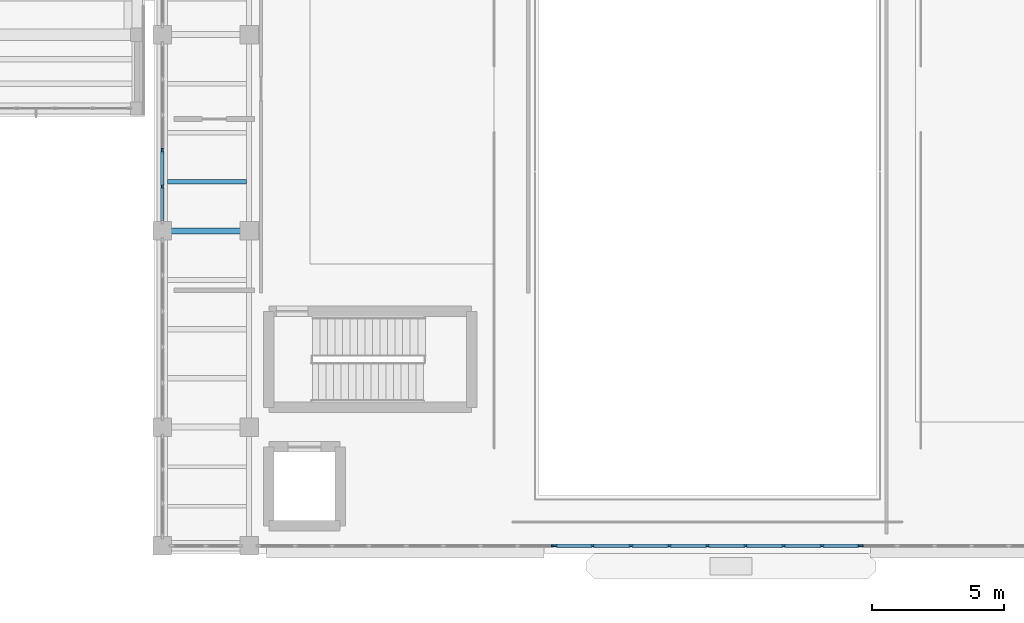
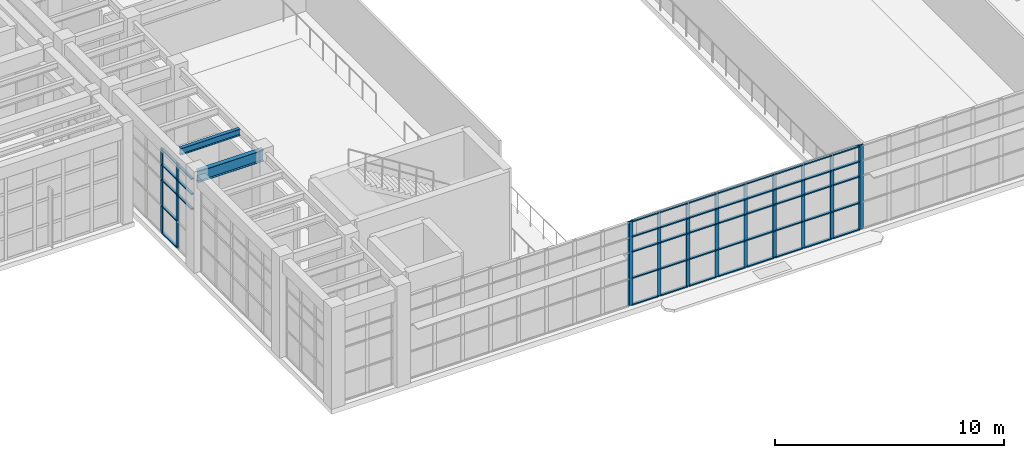
# One storey, part 35 of 103: 61 members, 2 beams, 4 elements without a shape of their own.
"""IFC4 building model written with IfcOpenShell, lengths in metres."""

from ifc_helpers import new_model, si_unit, direction, frame, origin, origin_2d, place, context, subcontext, project, spatial, rectangle, i_section, extrude, material, layer, layer_set, material_profile, profile_set, type_object, element, aggregate, save


model = new_model("IFC4")

# Units and contexts
model_context = context("Model", 3, precision=1e-05, world=origin(), true_north=direction((0.0, 1.0)))
body_context = subcontext(model_context, "Body", "Model", "MODEL_VIEW")
ifc_project = project(units=[si_unit("LENGTHUNIT", "METRE"), si_unit("AREAUNIT", "SQUARE_METRE"), si_unit("VOLUMEUNIT", "CUBIC_METRE"), si_unit("PLANEANGLEUNIT", "RADIAN"), si_unit("MASSUNIT", "GRAM", prefix="KILO")], contexts=[model_context])

# Site, building, storey
site_placement = place(None, origin())
site = spatial("IfcSite", under=ifc_project, at=site_placement, CompositionType="ELEMENT")
building_placement = place(site_placement, origin())
building = spatial("IfcBuilding", under=site, at=building_placement, Name="Candilejo Ridge Gondola Terminal", CompositionType="ELEMENT")
storey_placement = place(building_placement, frame((0.0, 0.0, 9.0)))
storey = spatial("IfcBuildingStorey", under=building, at=storey_placement, Name="L02", CompositionType="ELEMENT", Elevation=9.0)

# Curtain wall, members
ifc_material_1 = material(Name="Anodised aluminium AA 6063-T6", Category="aluminium")
ifc_layer_1 = layer(ifc_material_1, 0.169921875)
ifc_layer_set_1 = layer_set([ifc_layer_1], Name="ARC-CW-HALL-3800-680X449")
curtain_wall_type_1 = type_object("IfcCurtainWallType", Name="ARC-CW-HALL-3800-680X449", PredefinedType="NOTDEFINED", material=ifc_layer_set_1)
curtain_wall_1_placement = place(storey_placement, origin())
curtain_wall_1 = element("IfcCurtainWall", 1, at=curtain_wall_1_placement, inside=storey, type_object=curtain_wall_type_1, Name="Curtain wall V4 L02-135", PredefinedType="NOTDEFINED")
ifc_material_2 = material(Name="Anodised aluminium AA 6063-T6", Category="aluminium")
ifc_material_profile_1 = material_profile(ifc_material_2, rectangle(XDim=0.06494140625, YDim=0.179931640625, at=origin_2d()))
ifc_profile_set_1 = profile_set([ifc_material_profile_1], Name="Anodised aluminium AA 6063-T6")
member_type_1 = type_object("IfcMemberType", Name="ARC-CW-MULLION-180", PredefinedType="MULLION", material=ifc_profile_set_1)
member_1_placement = place(storey_placement, frame((133.89990234375, 19.93505859375, 0.0), z_axis=(0.0, 0.0, 1.0), x_axis=(-1.0, 0.0, 0.0)))
member_1 = element("IfcMember", 2, at=member_1_placement, type_object=member_type_1, Name="CW-68X44 mullion 2", PredefinedType="MULLION", context=body_context, shape_type="SweptSolid", body=[
    extrude(rectangle(XDim=0.06494140625, YDim=0.179931640625, at=origin_2d()), origin(), (0.0, 0.0, 1.0), 4.489990234375),
])
member_2_placement = place(storey_placement, frame((133.89990234375, 21.294921875, 0.0), z_axis=(0.0, 0.0, 1.0), x_axis=(-1.0, 0.0, 0.0)))
member_2 = element("IfcMember", 3, at=member_2_placement, type_object=member_type_1, Name="CW-68X44 mullion 3", PredefinedType="MULLION", context=body_context, shape_type="SweptSolid", body=[
    extrude(rectangle(XDim=0.06494140625, YDim=0.179931640625, at=origin_2d()), origin(), (0.0, 0.0, 1.0), 4.489990234375),
])

# Curtain wall, member
ifc_material_3 = material(Name="Anodised aluminium AA 6063-T6", Category="aluminium")
ifc_layer_2 = layer(ifc_material_3, 0.169921875)
ifc_layer_set_2 = layer_set([ifc_layer_2], Name="ARC-CW-HALL-3800-1128X449")
curtain_wall_type_2 = type_object("IfcCurtainWallType", Name="ARC-CW-HALL-3800-1128X449", PredefinedType="NOTDEFINED", material=ifc_layer_set_2)
curtain_wall_2_placement = place(storey_placement, origin())
curtain_wall_2 = element("IfcCurtainWall", 4, at=curtain_wall_2_placement, inside=storey, type_object=curtain_wall_type_2, Name="Curtain wall V4 L02-146", PredefinedType="NOTDEFINED")
member_3_placement = place(storey_placement, frame((148.767578125, 6.300048828125, 0.0), z_axis=(0.0, 0.0, 1.0), x_axis=(0.0, 1.0, 0.0)))
member_3 = element("IfcMember", 5, at=member_3_placement, type_object=member_type_1, Name="CW-112X44 mullion 9", PredefinedType="MULLION", context=body_context, shape_type="SweptSolid", body=[
    extrude(rectangle(XDim=0.06494140625, YDim=0.179931640625, at=origin_2d()), origin(), (0.0, 0.0, 1.0), 4.489990234375),
])
aggregate(curtain_wall_2, [member_3])

# Curtain wall, members
ifc_material_4 = material(Name="Anodised aluminium AA 6063-T6", Category="aluminium")
ifc_layer_3 = layer(ifc_material_4, 0.169921875)
ifc_layer_set_3 = layer_set([ifc_layer_3], Name="ARC-CW-HALL-3800-1160X449")
curtain_wall_type_3 = type_object("IfcCurtainWallType", Name="ARC-CW-HALL-3800-1160X449", PredefinedType="NOTDEFINED", material=ifc_layer_set_3)
curtain_wall_3_placement = place(storey_placement, origin())
curtain_wall_3 = element("IfcCurtainWall", 6, at=curtain_wall_3_placement, inside=storey, type_object=curtain_wall_type_3, Name="Curtain wall V4 L02-147", PredefinedType="NOTDEFINED")
member_4_placement = place(storey_placement, frame((148.83251953125, 6.300048828125, 0.0), z_axis=(0.0, 0.0, 1.0), x_axis=(0.0, 1.0, 0.0)))
member_4 = element("IfcMember", 7, at=member_4_placement, type_object=member_type_1, Name="CW-116X44 mullion 1", PredefinedType="MULLION", context=body_context, shape_type="SweptSolid", body=[
    extrude(rectangle(XDim=0.06494140625, YDim=0.179931640625, at=origin_2d()), origin(), (0.0, 0.0, 1.0), 4.489990234375),
])
member_5_placement = place(storey_placement, frame((150.25, 6.300048828125, 0.0), z_axis=(0.0, 0.0, 1.0), x_axis=(0.0, 1.0, 0.0)))
member_5 = element("IfcMember", 8, at=member_5_placement, type_object=member_type_1, Name="CW-116X44 mullion 2", PredefinedType="MULLION", context=body_context, shape_type="SweptSolid", body=[
    extrude(rectangle(XDim=0.06494140625, YDim=0.179931640625, at=origin_2d()), origin(), (0.0, 0.0, 1.0), 4.489990234375),
])
member_6_placement = place(storey_placement, frame((151.699951171875, 6.300048828125, 0.0), z_axis=(0.0, 0.0, 1.0), x_axis=(0.0, 1.0, 0.0)))
member_6 = element("IfcMember", 9, at=member_6_placement, type_object=member_type_1, Name="CW-116X44 mullion 3", PredefinedType="MULLION", context=body_context, shape_type="SweptSolid", body=[
    extrude(rectangle(XDim=0.06494140625, YDim=0.179931640625, at=origin_2d()), origin(), (0.0, 0.0, 1.0), 4.489990234375),
])
member_7_placement = place(storey_placement, frame((153.14990234375, 6.300048828125, 0.0), z_axis=(0.0, 0.0, 1.0), x_axis=(0.0, 1.0, 0.0)))
member_7 = element("IfcMember", 10, at=member_7_placement, type_object=member_type_1, Name="CW-116X44 mullion 4", PredefinedType="MULLION", context=body_context, shape_type="SweptSolid", body=[
    extrude(rectangle(XDim=0.06494140625, YDim=0.179931640625, at=origin_2d()), origin(), (0.0, 0.0, 1.0), 4.489990234375),
])
member_8_placement = place(storey_placement, frame((154.60009765625, 6.300048828125, 0.0), z_axis=(0.0, 0.0, 1.0), x_axis=(0.0, 1.0, 0.0)))
member_8 = element("IfcMember", 11, at=member_8_placement, type_object=member_type_1, Name="CW-116X44 mullion 5", PredefinedType="MULLION", context=body_context, shape_type="SweptSolid", body=[
    extrude(rectangle(XDim=0.06494140625, YDim=0.179931640625, at=origin_2d()), origin(), (0.0, 0.0, 1.0), 4.489990234375),
])
member_9_placement = place(storey_placement, frame((156.050048828125, 6.300048828125, 0.0), z_axis=(0.0, 0.0, 1.0), x_axis=(0.0, 1.0, 0.0)))
member_9 = element("IfcMember", 12, at=member_9_placement, type_object=member_type_1, Name="CW-116X44 mullion 6", PredefinedType="MULLION", context=body_context, shape_type="SweptSolid", body=[
    extrude(rectangle(XDim=0.06494140625, YDim=0.179931640625, at=origin_2d()), origin(), (0.0, 0.0, 1.0), 4.489990234375),
])
member_10_placement = place(storey_placement, frame((157.5, 6.300048828125, 0.0), z_axis=(0.0, 0.0, 1.0), x_axis=(0.0, 1.0, 0.0)))
member_10 = element("IfcMember", 13, at=member_10_placement, type_object=member_type_1, Name="CW-116X44 mullion 7", PredefinedType="MULLION", context=body_context, shape_type="SweptSolid", body=[
    extrude(rectangle(XDim=0.06494140625, YDim=0.179931640625, at=origin_2d()), origin(), (0.0, 0.0, 1.0), 4.489990234375),
])
member_11_placement = place(storey_placement, frame((158.949951171875, 6.300048828125, 0.0), z_axis=(0.0, 0.0, 1.0), x_axis=(0.0, 1.0, 0.0)))
member_11 = element("IfcMember", 14, at=member_11_placement, type_object=member_type_1, Name="CW-116X44 mullion 8", PredefinedType="MULLION", context=body_context, shape_type="SweptSolid", body=[
    extrude(rectangle(XDim=0.06494140625, YDim=0.179931640625, at=origin_2d()), origin(), (0.0, 0.0, 1.0), 4.489990234375),
])
member_12_placement = place(storey_placement, frame((160.367431640625, 6.300048828125, 0.0), z_axis=(0.0, 0.0, 1.0), x_axis=(0.0, 1.0, 0.0)))
member_12 = element("IfcMember", 15, at=member_12_placement, type_object=member_type_1, Name="CW-116X44 mullion 9", PredefinedType="MULLION", context=body_context, shape_type="SweptSolid", body=[
    extrude(rectangle(XDim=0.06494140625, YDim=0.179931640625, at=origin_2d()), origin(), (0.0, 0.0, 1.0), 4.489990234375),
])

# Curtain wall, member
curtain_wall_4_placement = place(storey_placement, origin())
curtain_wall_4 = element("IfcCurtainWall", 16, at=curtain_wall_4_placement, inside=storey, type_object=curtain_wall_type_2, Name="Curtain wall V4 L02-148", PredefinedType="NOTDEFINED")
member_13_placement = place(storey_placement, frame((160.4326171875, 6.300048828125, 0.0), z_axis=(0.0, 0.0, 1.0), x_axis=(0.0, 1.0, 0.0)))
member_13 = element("IfcMember", 17, at=member_13_placement, type_object=member_type_1, Name="CW-112X44 mullion 1", PredefinedType="MULLION", context=body_context, shape_type="SweptSolid", body=[
    extrude(rectangle(XDim=0.06494140625, YDim=0.179931640625, at=origin_2d()), origin(), (0.0, 0.0, 1.0), 4.489990234375),
])
aggregate(curtain_wall_4, [member_13])

# Member
ifc_material_5 = material(Name="Anodised aluminium AA 6063-T6", Category="aluminium")
ifc_material_profile_2 = material_profile(ifc_material_5, rectangle(XDim=0.1298828125, YDim=0.06005859375, at=origin_2d()))
ifc_profile_set_2 = profile_set([ifc_material_profile_2], Name="Anodised aluminium AA 6063-T6")
member_type_2 = type_object("IfcMemberType", Name="ARC-CW-TRANSOM-130", PredefinedType="USERDEFINED", material=ifc_profile_set_2)
member_14_placement = place(storey_placement, frame((133.89990234375, 18.639892578125, 2.85009765625), z_axis=(0.0, 1.0, 0.0), x_axis=(-1.0, 0.0, 0.0)))
member_14 = element("IfcMember", 18, at=member_14_placement, type_object=member_type_2, Name="CW-68X44 transom 1.3", ObjectType="TRANSOM", PredefinedType="USERDEFINED", context=body_context, shape_type="SweptSolid", body=[
    extrude(rectangle(XDim=0.1298828125, YDim=0.06005859375, at=origin_2d()), origin(), (0.0, 0.0, 1.0), 1.2626953125),
])

member_15_placement = place(storey_placement, frame((133.89990234375, 18.639892578125, 3.64990234375), z_axis=(0.0, 1.0, 0.0), x_axis=(-1.0, 0.0, 0.0)))
member_15 = element("IfcMember", 19, at=member_15_placement, type_object=member_type_2, Name="CW-68X44 transom 1.4", ObjectType="TRANSOM", PredefinedType="USERDEFINED", context=body_context, shape_type="SweptSolid", body=[
    extrude(rectangle(XDim=0.1298828125, YDim=0.06005859375, at=origin_2d()), origin(), (0.0, 0.0, 1.0), 1.2626953125),
])

member_16_placement = place(storey_placement, frame((133.89990234375, 18.639892578125, 4.4599609375), z_axis=(0.0, 1.0, 0.0), x_axis=(-1.0, 0.0, 0.0)))
member_16 = element("IfcMember", 20, at=member_16_placement, type_object=member_type_2, Name="CW-68X44 transom 1.5", ObjectType="TRANSOM", PredefinedType="USERDEFINED", context=body_context, shape_type="SweptSolid", body=[
    extrude(rectangle(XDim=0.1298828125, YDim=0.06005859375, at=origin_2d()), origin(), (0.0, 0.0, 1.0), 1.2626953125),
])

member_17_placement = place(storey_placement, frame((133.89990234375, 19.967529296875, 0.030029296875), z_axis=(0.0, 1.0, 0.0), x_axis=(-1.0, 0.0, 0.0)))
member_17 = element("IfcMember", 21, at=member_17_placement, type_object=member_type_2, Name="CW-68X44 transom 2.1", ObjectType="TRANSOM", PredefinedType="USERDEFINED", context=body_context, shape_type="SweptSolid", body=[
    extrude(rectangle(XDim=0.1298828125, YDim=0.06005859375, at=origin_2d()), origin(), (0.0, 0.0, 1.0), 1.294921875),
])

member_18_placement = place(storey_placement, frame((133.89990234375, 19.967529296875, 1.449951171875), z_axis=(0.0, 1.0, 0.0), x_axis=(-1.0, 0.0, 0.0)))
member_18 = element("IfcMember", 22, at=member_18_placement, type_object=member_type_2, Name="CW-68X44 transom 2.2", ObjectType="TRANSOM", PredefinedType="USERDEFINED", context=body_context, shape_type="SweptSolid", body=[
    extrude(rectangle(XDim=0.1298828125, YDim=0.06005859375, at=origin_2d()), origin(), (0.0, 0.0, 1.0), 1.294921875),
])

member_19_placement = place(storey_placement, frame((133.89990234375, 19.967529296875, 2.85009765625), z_axis=(0.0, 1.0, 0.0), x_axis=(-1.0, 0.0, 0.0)))
member_19 = element("IfcMember", 23, at=member_19_placement, type_object=member_type_2, Name="CW-68X44 transom 2.3", ObjectType="TRANSOM", PredefinedType="USERDEFINED", context=body_context, shape_type="SweptSolid", body=[
    extrude(rectangle(XDim=0.1298828125, YDim=0.06005859375, at=origin_2d()), origin(), (0.0, 0.0, 1.0), 1.294921875),
])

member_20_placement = place(storey_placement, frame((133.89990234375, 19.967529296875, 3.64990234375), z_axis=(0.0, 1.0, 0.0), x_axis=(-1.0, 0.0, 0.0)))
member_20 = element("IfcMember", 24, at=member_20_placement, type_object=member_type_2, Name="CW-68X44 transom 2.4", ObjectType="TRANSOM", PredefinedType="USERDEFINED", context=body_context, shape_type="SweptSolid", body=[
    extrude(rectangle(XDim=0.1298828125, YDim=0.06005859375, at=origin_2d()), origin(), (0.0, 0.0, 1.0), 1.294921875),
])

member_21_placement = place(storey_placement, frame((133.89990234375, 19.967529296875, 4.4599609375), z_axis=(0.0, 1.0, 0.0), x_axis=(-1.0, 0.0, 0.0)))
member_21 = element("IfcMember", 25, at=member_21_placement, type_object=member_type_2, Name="CW-68X44 transom 2.5", ObjectType="TRANSOM", PredefinedType="USERDEFINED", context=body_context, shape_type="SweptSolid", body=[
    extrude(rectangle(XDim=0.1298828125, YDim=0.06005859375, at=origin_2d()), origin(), (0.0, 0.0, 1.0), 1.294921875),
])

aggregate(curtain_wall_1, [member_1, member_2, member_14, member_15, member_16, member_17, member_18, member_19, member_20, member_21])

member_22_placement = place(storey_placement, frame((148.864990234375, 6.300048828125, 0.030029296875), z_axis=(1.0, 0.0, 0.0), x_axis=(0.0, 1.0, 0.0)))
member_22 = element("IfcMember", 26, at=member_22_placement, type_object=member_type_2, Name="CW-116X44 transom 1.1", ObjectType="TRANSOM", PredefinedType="USERDEFINED", context=body_context, shape_type="SweptSolid", body=[
    extrude(rectangle(XDim=0.1298828125, YDim=0.06005859375, at=origin_2d()), origin(), (0.0, 0.0, 1.0), 1.3525390625),
])

member_23_placement = place(storey_placement, frame((148.864990234375, 6.300048828125, 1.449951171875), z_axis=(1.0, 0.0, 0.0), x_axis=(0.0, 1.0, 0.0)))
member_23 = element("IfcMember", 27, at=member_23_placement, type_object=member_type_2, Name="CW-116X44 transom 1.2", ObjectType="TRANSOM", PredefinedType="USERDEFINED", context=body_context, shape_type="SweptSolid", body=[
    extrude(rectangle(XDim=0.1298828125, YDim=0.06005859375, at=origin_2d()), origin(), (0.0, 0.0, 1.0), 1.3525390625),
])

member_24_placement = place(storey_placement, frame((148.864990234375, 6.300048828125, 2.85009765625), z_axis=(1.0, 0.0, 0.0), x_axis=(0.0, 1.0, 0.0)))
member_24 = element("IfcMember", 28, at=member_24_placement, type_object=member_type_2, Name="CW-116X44 transom 1.3", ObjectType="TRANSOM", PredefinedType="USERDEFINED", context=body_context, shape_type="SweptSolid", body=[
    extrude(rectangle(XDim=0.1298828125, YDim=0.06005859375, at=origin_2d()), origin(), (0.0, 0.0, 1.0), 1.3525390625),
])

member_25_placement = place(storey_placement, frame((148.864990234375, 6.300048828125, 3.64990234375), z_axis=(1.0, 0.0, 0.0), x_axis=(0.0, 1.0, 0.0)))
member_25 = element("IfcMember", 29, at=member_25_placement, type_object=member_type_2, Name="CW-116X44 transom 1.4", ObjectType="TRANSOM", PredefinedType="USERDEFINED", context=body_context, shape_type="SweptSolid", body=[
    extrude(rectangle(XDim=0.1298828125, YDim=0.06005859375, at=origin_2d()), origin(), (0.0, 0.0, 1.0), 1.3525390625),
])

member_26_placement = place(storey_placement, frame((148.864990234375, 6.300048828125, 4.4599609375), z_axis=(1.0, 0.0, 0.0), x_axis=(0.0, 1.0, 0.0)))
member_26 = element("IfcMember", 30, at=member_26_placement, type_object=member_type_2, Name="CW-116X44 transom 1.5", ObjectType="TRANSOM", PredefinedType="USERDEFINED", context=body_context, shape_type="SweptSolid", body=[
    extrude(rectangle(XDim=0.1298828125, YDim=0.06005859375, at=origin_2d()), origin(), (0.0, 0.0, 1.0), 1.3525390625),
])

member_27_placement = place(storey_placement, frame((150.282470703125, 6.300048828125, 0.030029296875), z_axis=(1.0, 0.0, 0.0), x_axis=(0.0, 1.0, 0.0)))
member_27 = element("IfcMember", 31, at=member_27_placement, type_object=member_type_2, Name="CW-116X44 transom 2.1", ObjectType="TRANSOM", PredefinedType="USERDEFINED", context=body_context, shape_type="SweptSolid", body=[
    extrude(rectangle(XDim=0.1298828125, YDim=0.06005859375, at=origin_2d()), origin(), (0.0, 0.0, 1.0), 1.385009765625),
])

member_28_placement = place(storey_placement, frame((150.282470703125, 6.300048828125, 1.449951171875), z_axis=(1.0, 0.0, 0.0), x_axis=(0.0, 1.0, 0.0)))
member_28 = element("IfcMember", 32, at=member_28_placement, type_object=member_type_2, Name="CW-116X44 transom 2.2", ObjectType="TRANSOM", PredefinedType="USERDEFINED", context=body_context, shape_type="SweptSolid", body=[
    extrude(rectangle(XDim=0.1298828125, YDim=0.06005859375, at=origin_2d()), origin(), (0.0, 0.0, 1.0), 1.385009765625),
])

member_29_placement = place(storey_placement, frame((150.282470703125, 6.300048828125, 2.85009765625), z_axis=(1.0, 0.0, 0.0), x_axis=(0.0, 1.0, 0.0)))
member_29 = element("IfcMember", 33, at=member_29_placement, type_object=member_type_2, Name="CW-116X44 transom 2.3", ObjectType="TRANSOM", PredefinedType="USERDEFINED", context=body_context, shape_type="SweptSolid", body=[
    extrude(rectangle(XDim=0.1298828125, YDim=0.06005859375, at=origin_2d()), origin(), (0.0, 0.0, 1.0), 1.385009765625),
])

member_30_placement = place(storey_placement, frame((150.282470703125, 6.300048828125, 3.64990234375), z_axis=(1.0, 0.0, 0.0), x_axis=(0.0, 1.0, 0.0)))
member_30 = element("IfcMember", 34, at=member_30_placement, type_object=member_type_2, Name="CW-116X44 transom 2.4", ObjectType="TRANSOM", PredefinedType="USERDEFINED", context=body_context, shape_type="SweptSolid", body=[
    extrude(rectangle(XDim=0.1298828125, YDim=0.06005859375, at=origin_2d()), origin(), (0.0, 0.0, 1.0), 1.385009765625),
])

member_31_placement = place(storey_placement, frame((150.282470703125, 6.300048828125, 4.4599609375), z_axis=(1.0, 0.0, 0.0), x_axis=(0.0, 1.0, 0.0)))
member_31 = element("IfcMember", 35, at=member_31_placement, type_object=member_type_2, Name="CW-116X44 transom 2.5", ObjectType="TRANSOM", PredefinedType="USERDEFINED", context=body_context, shape_type="SweptSolid", body=[
    extrude(rectangle(XDim=0.1298828125, YDim=0.06005859375, at=origin_2d()), origin(), (0.0, 0.0, 1.0), 1.385009765625),
])

member_32_placement = place(storey_placement, frame((151.732421875, 6.300048828125, 0.030029296875), z_axis=(1.0, 0.0, 0.0), x_axis=(0.0, 1.0, 0.0)))
member_32 = element("IfcMember", 36, at=member_32_placement, type_object=member_type_2, Name="CW-116X44 transom 3.1", ObjectType="TRANSOM", PredefinedType="USERDEFINED", context=body_context, shape_type="SweptSolid", body=[
    extrude(rectangle(XDim=0.1298828125, YDim=0.06005859375, at=origin_2d()), origin(), (0.0, 0.0, 1.0), 1.385009765625),
])

member_33_placement = place(storey_placement, frame((151.732421875, 6.300048828125, 1.449951171875), z_axis=(1.0, 0.0, 0.0), x_axis=(0.0, 1.0, 0.0)))
member_33 = element("IfcMember", 37, at=member_33_placement, type_object=member_type_2, Name="CW-116X44 transom 3.2", ObjectType="TRANSOM", PredefinedType="USERDEFINED", context=body_context, shape_type="SweptSolid", body=[
    extrude(rectangle(XDim=0.1298828125, YDim=0.06005859375, at=origin_2d()), origin(), (0.0, 0.0, 1.0), 1.385009765625),
])

member_34_placement = place(storey_placement, frame((151.732421875, 6.300048828125, 2.85009765625), z_axis=(1.0, 0.0, 0.0), x_axis=(0.0, 1.0, 0.0)))
member_34 = element("IfcMember", 38, at=member_34_placement, type_object=member_type_2, Name="CW-116X44 transom 3.3", ObjectType="TRANSOM", PredefinedType="USERDEFINED", context=body_context, shape_type="SweptSolid", body=[
    extrude(rectangle(XDim=0.1298828125, YDim=0.06005859375, at=origin_2d()), origin(), (0.0, 0.0, 1.0), 1.385009765625),
])

member_35_placement = place(storey_placement, frame((151.732421875, 6.300048828125, 3.64990234375), z_axis=(1.0, 0.0, 0.0), x_axis=(0.0, 1.0, 0.0)))
member_35 = element("IfcMember", 39, at=member_35_placement, type_object=member_type_2, Name="CW-116X44 transom 3.4", ObjectType="TRANSOM", PredefinedType="USERDEFINED", context=body_context, shape_type="SweptSolid", body=[
    extrude(rectangle(XDim=0.1298828125, YDim=0.06005859375, at=origin_2d()), origin(), (0.0, 0.0, 1.0), 1.385009765625),
])

member_36_placement = place(storey_placement, frame((151.732421875, 6.300048828125, 4.4599609375), z_axis=(1.0, 0.0, 0.0), x_axis=(0.0, 1.0, 0.0)))
member_36 = element("IfcMember", 40, at=member_36_placement, type_object=member_type_2, Name="CW-116X44 transom 3.5", ObjectType="TRANSOM", PredefinedType="USERDEFINED", context=body_context, shape_type="SweptSolid", body=[
    extrude(rectangle(XDim=0.1298828125, YDim=0.06005859375, at=origin_2d()), origin(), (0.0, 0.0, 1.0), 1.385009765625),
])

member_37_placement = place(storey_placement, frame((153.1826171875, 6.300048828125, 0.030029296875), z_axis=(1.0, 0.0, 0.0), x_axis=(0.0, 1.0, 0.0)))
member_37 = element("IfcMember", 41, at=member_37_placement, type_object=member_type_2, Name="CW-116X44 transom 4.1", ObjectType="TRANSOM", PredefinedType="USERDEFINED", context=body_context, shape_type="SweptSolid", body=[
    extrude(rectangle(XDim=0.1298828125, YDim=0.06005859375, at=origin_2d()), origin(), (0.0, 0.0, 1.0), 1.384765625),
])

member_38_placement = place(storey_placement, frame((153.1826171875, 6.300048828125, 1.449951171875), z_axis=(1.0, 0.0, 0.0), x_axis=(0.0, 1.0, 0.0)))
member_38 = element("IfcMember", 42, at=member_38_placement, type_object=member_type_2, Name="CW-116X44 transom 4.2", ObjectType="TRANSOM", PredefinedType="USERDEFINED", context=body_context, shape_type="SweptSolid", body=[
    extrude(rectangle(XDim=0.1298828125, YDim=0.06005859375, at=origin_2d()), origin(), (0.0, 0.0, 1.0), 1.384765625),
])

member_39_placement = place(storey_placement, frame((153.1826171875, 6.300048828125, 2.85009765625), z_axis=(1.0, 0.0, 0.0), x_axis=(0.0, 1.0, 0.0)))
member_39 = element("IfcMember", 43, at=member_39_placement, type_object=member_type_2, Name="CW-116X44 transom 4.3", ObjectType="TRANSOM", PredefinedType="USERDEFINED", context=body_context, shape_type="SweptSolid", body=[
    extrude(rectangle(XDim=0.1298828125, YDim=0.06005859375, at=origin_2d()), origin(), (0.0, 0.0, 1.0), 1.384765625),
])

member_40_placement = place(storey_placement, frame((153.1826171875, 6.300048828125, 3.64990234375), z_axis=(1.0, 0.0, 0.0), x_axis=(0.0, 1.0, 0.0)))
member_40 = element("IfcMember", 44, at=member_40_placement, type_object=member_type_2, Name="CW-116X44 transom 4.4", ObjectType="TRANSOM", PredefinedType="USERDEFINED", context=body_context, shape_type="SweptSolid", body=[
    extrude(rectangle(XDim=0.1298828125, YDim=0.06005859375, at=origin_2d()), origin(), (0.0, 0.0, 1.0), 1.384765625),
])

member_41_placement = place(storey_placement, frame((153.1826171875, 6.300048828125, 4.4599609375), z_axis=(1.0, 0.0, 0.0), x_axis=(0.0, 1.0, 0.0)))
member_41 = element("IfcMember", 45, at=member_41_placement, type_object=member_type_2, Name="CW-116X44 transom 4.5", ObjectType="TRANSOM", PredefinedType="USERDEFINED", context=body_context, shape_type="SweptSolid", body=[
    extrude(rectangle(XDim=0.1298828125, YDim=0.06005859375, at=origin_2d()), origin(), (0.0, 0.0, 1.0), 1.384765625),
])

member_42_placement = place(storey_placement, frame((154.632568359375, 6.300048828125, 0.030029296875), z_axis=(1.0, 0.0, 0.0), x_axis=(0.0, 1.0, 0.0)))
member_42 = element("IfcMember", 46, at=member_42_placement, type_object=member_type_2, Name="CW-116X44 transom 5.1", ObjectType="TRANSOM", PredefinedType="USERDEFINED", context=body_context, shape_type="SweptSolid", body=[
    extrude(rectangle(XDim=0.1298828125, YDim=0.06005859375, at=origin_2d()), origin(), (0.0, 0.0, 1.0), 1.385009765625),
])

member_43_placement = place(storey_placement, frame((154.632568359375, 6.300048828125, 1.449951171875), z_axis=(1.0, 0.0, 0.0), x_axis=(0.0, 1.0, 0.0)))
member_43 = element("IfcMember", 47, at=member_43_placement, type_object=member_type_2, Name="CW-116X44 transom 5.2", ObjectType="TRANSOM", PredefinedType="USERDEFINED", context=body_context, shape_type="SweptSolid", body=[
    extrude(rectangle(XDim=0.1298828125, YDim=0.06005859375, at=origin_2d()), origin(), (0.0, 0.0, 1.0), 1.385009765625),
])

member_44_placement = place(storey_placement, frame((154.632568359375, 6.300048828125, 2.85009765625), z_axis=(1.0, 0.0, 0.0), x_axis=(0.0, 1.0, 0.0)))
member_44 = element("IfcMember", 48, at=member_44_placement, type_object=member_type_2, Name="CW-116X44 transom 5.3", ObjectType="TRANSOM", PredefinedType="USERDEFINED", context=body_context, shape_type="SweptSolid", body=[
    extrude(rectangle(XDim=0.1298828125, YDim=0.06005859375, at=origin_2d()), origin(), (0.0, 0.0, 1.0), 1.385009765625),
])

member_45_placement = place(storey_placement, frame((154.632568359375, 6.300048828125, 3.64990234375), z_axis=(1.0, 0.0, 0.0), x_axis=(0.0, 1.0, 0.0)))
member_45 = element("IfcMember", 49, at=member_45_placement, type_object=member_type_2, Name="CW-116X44 transom 5.4", ObjectType="TRANSOM", PredefinedType="USERDEFINED", context=body_context, shape_type="SweptSolid", body=[
    extrude(rectangle(XDim=0.1298828125, YDim=0.06005859375, at=origin_2d()), origin(), (0.0, 0.0, 1.0), 1.385009765625),
])

member_46_placement = place(storey_placement, frame((154.632568359375, 6.300048828125, 4.4599609375), z_axis=(1.0, 0.0, 0.0), x_axis=(0.0, 1.0, 0.0)))
member_46 = element("IfcMember", 50, at=member_46_placement, type_object=member_type_2, Name="CW-116X44 transom 5.5", ObjectType="TRANSOM", PredefinedType="USERDEFINED", context=body_context, shape_type="SweptSolid", body=[
    extrude(rectangle(XDim=0.1298828125, YDim=0.06005859375, at=origin_2d()), origin(), (0.0, 0.0, 1.0), 1.385009765625),
])

member_47_placement = place(storey_placement, frame((156.08251953125, 6.300048828125, 0.030029296875), z_axis=(1.0, 0.0, 0.0), x_axis=(0.0, 1.0, 0.0)))
member_47 = element("IfcMember", 51, at=member_47_placement, type_object=member_type_2, Name="CW-116X44 transom 6.1", ObjectType="TRANSOM", PredefinedType="USERDEFINED", context=body_context, shape_type="SweptSolid", body=[
    extrude(rectangle(XDim=0.1298828125, YDim=0.06005859375, at=origin_2d()), origin(), (0.0, 0.0, 1.0), 1.385009765625),
])

member_48_placement = place(storey_placement, frame((156.08251953125, 6.300048828125, 1.449951171875), z_axis=(1.0, 0.0, 0.0), x_axis=(0.0, 1.0, 0.0)))
member_48 = element("IfcMember", 52, at=member_48_placement, type_object=member_type_2, Name="CW-116X44 transom 6.2", ObjectType="TRANSOM", PredefinedType="USERDEFINED", context=body_context, shape_type="SweptSolid", body=[
    extrude(rectangle(XDim=0.1298828125, YDim=0.06005859375, at=origin_2d()), origin(), (0.0, 0.0, 1.0), 1.385009765625),
])

member_49_placement = place(storey_placement, frame((156.08251953125, 6.300048828125, 2.85009765625), z_axis=(1.0, 0.0, 0.0), x_axis=(0.0, 1.0, 0.0)))
member_49 = element("IfcMember", 53, at=member_49_placement, type_object=member_type_2, Name="CW-116X44 transom 6.3", ObjectType="TRANSOM", PredefinedType="USERDEFINED", context=body_context, shape_type="SweptSolid", body=[
    extrude(rectangle(XDim=0.1298828125, YDim=0.06005859375, at=origin_2d()), origin(), (0.0, 0.0, 1.0), 1.385009765625),
])

member_50_placement = place(storey_placement, frame((156.08251953125, 6.300048828125, 3.64990234375), z_axis=(1.0, 0.0, 0.0), x_axis=(0.0, 1.0, 0.0)))
member_50 = element("IfcMember", 54, at=member_50_placement, type_object=member_type_2, Name="CW-116X44 transom 6.4", ObjectType="TRANSOM", PredefinedType="USERDEFINED", context=body_context, shape_type="SweptSolid", body=[
    extrude(rectangle(XDim=0.1298828125, YDim=0.06005859375, at=origin_2d()), origin(), (0.0, 0.0, 1.0), 1.385009765625),
])

member_51_placement = place(storey_placement, frame((156.08251953125, 6.300048828125, 4.4599609375), z_axis=(1.0, 0.0, 0.0), x_axis=(0.0, 1.0, 0.0)))
member_51 = element("IfcMember", 55, at=member_51_placement, type_object=member_type_2, Name="CW-116X44 transom 6.5", ObjectType="TRANSOM", PredefinedType="USERDEFINED", context=body_context, shape_type="SweptSolid", body=[
    extrude(rectangle(XDim=0.1298828125, YDim=0.06005859375, at=origin_2d()), origin(), (0.0, 0.0, 1.0), 1.385009765625),
])

member_52_placement = place(storey_placement, frame((157.532470703125, 6.300048828125, 0.030029296875), z_axis=(1.0, 0.0, 0.0), x_axis=(0.0, 1.0, 0.0)))
member_52 = element("IfcMember", 56, at=member_52_placement, type_object=member_type_2, Name="CW-116X44 transom 7.1", ObjectType="TRANSOM", PredefinedType="USERDEFINED", context=body_context, shape_type="SweptSolid", body=[
    extrude(rectangle(XDim=0.1298828125, YDim=0.06005859375, at=origin_2d()), origin(), (0.0, 0.0, 1.0), 1.385009765625),
])

member_53_placement = place(storey_placement, frame((157.532470703125, 6.300048828125, 1.449951171875), z_axis=(1.0, 0.0, 0.0), x_axis=(0.0, 1.0, 0.0)))
member_53 = element("IfcMember", 57, at=member_53_placement, type_object=member_type_2, Name="CW-116X44 transom 7.2", ObjectType="TRANSOM", PredefinedType="USERDEFINED", context=body_context, shape_type="SweptSolid", body=[
    extrude(rectangle(XDim=0.1298828125, YDim=0.06005859375, at=origin_2d()), origin(), (0.0, 0.0, 1.0), 1.385009765625),
])

member_54_placement = place(storey_placement, frame((157.532470703125, 6.300048828125, 2.85009765625), z_axis=(1.0, 0.0, 0.0), x_axis=(0.0, 1.0, 0.0)))
member_54 = element("IfcMember", 58, at=member_54_placement, type_object=member_type_2, Name="CW-116X44 transom 7.3", ObjectType="TRANSOM", PredefinedType="USERDEFINED", context=body_context, shape_type="SweptSolid", body=[
    extrude(rectangle(XDim=0.1298828125, YDim=0.06005859375, at=origin_2d()), origin(), (0.0, 0.0, 1.0), 1.385009765625),
])

member_55_placement = place(storey_placement, frame((157.532470703125, 6.300048828125, 3.64990234375), z_axis=(1.0, 0.0, 0.0), x_axis=(0.0, 1.0, 0.0)))
member_55 = element("IfcMember", 59, at=member_55_placement, type_object=member_type_2, Name="CW-116X44 transom 7.4", ObjectType="TRANSOM", PredefinedType="USERDEFINED", context=body_context, shape_type="SweptSolid", body=[
    extrude(rectangle(XDim=0.1298828125, YDim=0.06005859375, at=origin_2d()), origin(), (0.0, 0.0, 1.0), 1.385009765625),
])

member_56_placement = place(storey_placement, frame((157.532470703125, 6.300048828125, 4.4599609375), z_axis=(1.0, 0.0, 0.0), x_axis=(0.0, 1.0, 0.0)))
member_56 = element("IfcMember", 60, at=member_56_placement, type_object=member_type_2, Name="CW-116X44 transom 7.5", ObjectType="TRANSOM", PredefinedType="USERDEFINED", context=body_context, shape_type="SweptSolid", body=[
    extrude(rectangle(XDim=0.1298828125, YDim=0.06005859375, at=origin_2d()), origin(), (0.0, 0.0, 1.0), 1.385009765625),
])

member_57_placement = place(storey_placement, frame((158.982421875, 6.300048828125, 0.030029296875), z_axis=(1.0, 0.0, 0.0), x_axis=(0.0, 1.0, 0.0)))
member_57 = element("IfcMember", 61, at=member_57_placement, type_object=member_type_2, Name="CW-116X44 transom 8.1", ObjectType="TRANSOM", PredefinedType="USERDEFINED", context=body_context, shape_type="SweptSolid", body=[
    extrude(rectangle(XDim=0.1298828125, YDim=0.06005859375, at=origin_2d()), origin(), (0.0, 0.0, 1.0), 1.3525390625),
])

member_58_placement = place(storey_placement, frame((158.982421875, 6.300048828125, 1.449951171875), z_axis=(1.0, 0.0, 0.0), x_axis=(0.0, 1.0, 0.0)))
member_58 = element("IfcMember", 62, at=member_58_placement, type_object=member_type_2, Name="CW-116X44 transom 8.2", ObjectType="TRANSOM", PredefinedType="USERDEFINED", context=body_context, shape_type="SweptSolid", body=[
    extrude(rectangle(XDim=0.1298828125, YDim=0.06005859375, at=origin_2d()), origin(), (0.0, 0.0, 1.0), 1.3525390625),
])

member_59_placement = place(storey_placement, frame((158.982421875, 6.300048828125, 2.85009765625), z_axis=(1.0, 0.0, 0.0), x_axis=(0.0, 1.0, 0.0)))
member_59 = element("IfcMember", 63, at=member_59_placement, type_object=member_type_2, Name="CW-116X44 transom 8.3", ObjectType="TRANSOM", PredefinedType="USERDEFINED", context=body_context, shape_type="SweptSolid", body=[
    extrude(rectangle(XDim=0.1298828125, YDim=0.06005859375, at=origin_2d()), origin(), (0.0, 0.0, 1.0), 1.3525390625),
])

member_60_placement = place(storey_placement, frame((158.982421875, 6.300048828125, 3.64990234375), z_axis=(1.0, 0.0, 0.0), x_axis=(0.0, 1.0, 0.0)))
member_60 = element("IfcMember", 64, at=member_60_placement, type_object=member_type_2, Name="CW-116X44 transom 8.4", ObjectType="TRANSOM", PredefinedType="USERDEFINED", context=body_context, shape_type="SweptSolid", body=[
    extrude(rectangle(XDim=0.1298828125, YDim=0.06005859375, at=origin_2d()), origin(), (0.0, 0.0, 1.0), 1.3525390625),
])

member_61_placement = place(storey_placement, frame((158.982421875, 6.300048828125, 4.4599609375), z_axis=(1.0, 0.0, 0.0), x_axis=(0.0, 1.0, 0.0)))
member_61 = element("IfcMember", 65, at=member_61_placement, type_object=member_type_2, Name="CW-116X44 transom 8.5", ObjectType="TRANSOM", PredefinedType="USERDEFINED", context=body_context, shape_type="SweptSolid", body=[
    extrude(rectangle(XDim=0.1298828125, YDim=0.06005859375, at=origin_2d()), origin(), (0.0, 0.0, 1.0), 1.3525390625),
])

aggregate(curtain_wall_3, [member_4, member_5, member_6, member_7, member_8, member_9, member_10, member_11, member_12, member_22, member_23, member_24, member_25, member_26, member_27, member_28, member_29, member_30, member_31, member_32, member_33, member_34, member_35, member_36, member_37, member_38, member_39, member_40, member_41, member_42, member_43, member_44, member_45, member_46, member_47, member_48, member_49, member_50, member_51, member_52, member_53, member_54, member_55, member_56, member_57, member_58, member_59, member_60, member_61])

# Beams
ifc_material_6 = material(Name="Steel ASTM A992 Grade 50", Category="steel")
ifc_material_profile_3 = material_profile(ifc_material_6, i_section(OverallWidth=0.22802734375, OverallDepth=0.60302734375, WebThickness=0.010498046875, FlangeThickness=0.014892578125, at=origin_2d()))
ifc_profile_set_3 = profile_set([ifc_material_profile_3], Name="Steel ASTM A992 Grade 50")
beam_type_1 = type_object("IfcBeamType", Name="STR-BM-W610X101", PredefinedType="BEAM", material=ifc_profile_set_3)
beam_1_placement = place(storey_placement, frame((133.89990234375, 18.25, 4.8583984375), z_axis=(1.0, 0.0, 0.0), x_axis=(0.0, 1.0, 0.0)))
element("IfcBeam", 66, at=beam_1_placement, inside=storey, type_object=beam_type_1, Name="Beam X V4 L02 X21-X22@Y03", PredefinedType="BEAM", context=body_context, shape_type="SweptSolid", body=[
    extrude(i_section(OverallWidth=0.22802734375, OverallDepth=0.60302734375, WebThickness=0.010498046875, FlangeThickness=0.014892578125, at=origin_2d()), origin(), (0.0, 0.0, 1.0), 3.300048828125),
])
ifc_material_7 = material(Name="Steel ASTM A992 Grade 50", Category="steel")
ifc_material_profile_4 = material_profile(ifc_material_7, i_section(OverallWidth=0.1708984375, OverallDepth=0.35498046875, WebThickness=0.007080078125, FlangeThickness=0.01171875, at=origin_2d()))
ifc_profile_set_4 = profile_set([ifc_material_profile_4], Name="Steel ASTM A992 Grade 50")
beam_type_2 = type_object("IfcBeamType", Name="STR-JST-W360X51", PredefinedType="JOIST", material=ifc_profile_set_4)
beam_2_placement = place(storey_placement, frame((134.10009765625, 20.112548828125, 4.982421875), z_axis=(1.0, 0.0, 0.0), x_axis=(0.0, 1.0, 0.0)))
element("IfcBeam", 67, at=beam_2_placement, inside=storey, type_object=beam_type_2, Name="Composite joist V4 L02-0972", PredefinedType="JOIST", context=body_context, shape_type="SweptSolid", body=[
    extrude(i_section(OverallWidth=0.1708984375, OverallDepth=0.35498046875, WebThickness=0.007080078125, FlangeThickness=0.01171875, at=origin_2d()), origin(), (0.0, 0.0, 1.0), 3.00390625),
])

save(model, "model.ifc")
